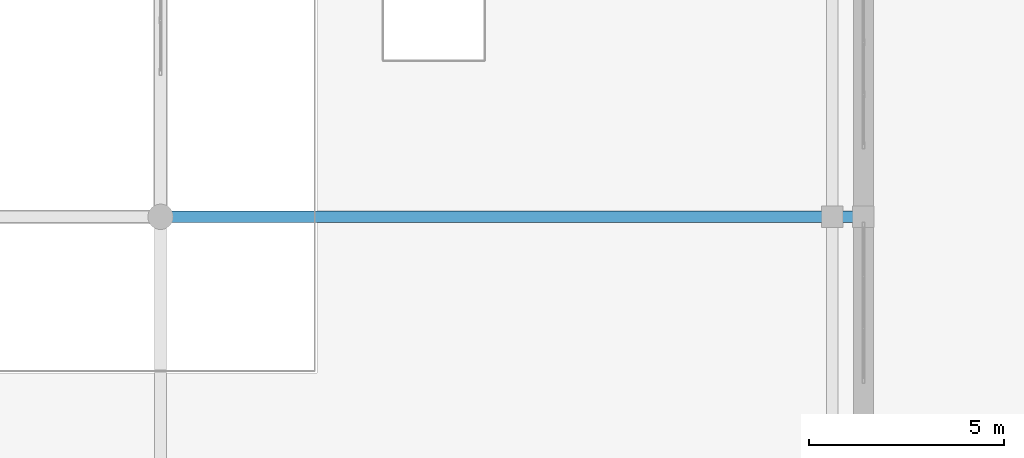
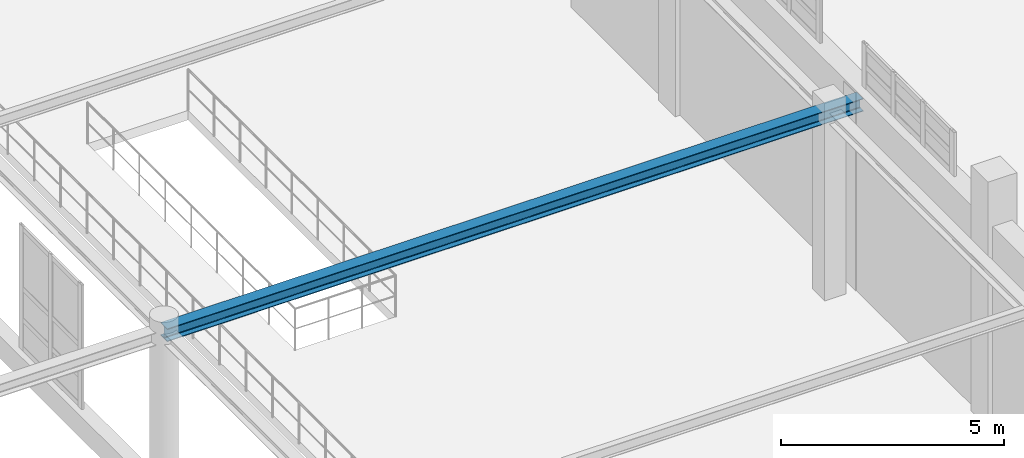
# One storey, part 103 of 197: 1 beam.
"""IFC4 building model written with IfcOpenShell, lengths in metres."""

from ifc_helpers import new_model, si_unit, derived_unit, direction, frame, origin, origin_2d, place, context, subcontext, project, spatial, i_section, extrude, material, material_profile, profile_set, type_object, element, save


model = new_model("IFC4")

# Units and contexts
model_context = context("Model", 3, precision=1e-05, world=origin(), true_north=direction((0.0, 1.0)))
body_context = subcontext(model_context, "Body", "Model", "MODEL_VIEW")
ifc_project = project(units=[si_unit("LENGTHUNIT", "METRE"), si_unit("AREAUNIT", "SQUARE_METRE"), si_unit("VOLUMEUNIT", "CUBIC_METRE"), si_unit("PLANEANGLEUNIT", "RADIAN"), si_unit("MASSUNIT", "GRAM", prefix="KILO"), derived_unit("THERMALTRANSMITTANCEUNIT", [(si_unit("POWERUNIT", "WATT"), 1), (si_unit("LENGTHUNIT", "METRE"), -2), (si_unit("THERMODYNAMICTEMPERATUREUNIT", "KELVIN"), -1)])], contexts=[model_context])

# Site, building, storey
site_placement = place(None, origin())
site = spatial("IfcSite", under=ifc_project, at=site_placement, CompositionType="ELEMENT")
building_placement = place(site_placement, origin())
building = spatial("IfcBuilding", under=site, at=building_placement, Name="Almenara Railside Exhibition Hall", CompositionType="ELEMENT")
storey_placement = place(building_placement, frame((0.0, 0.0, 5.39990234375)))
storey = spatial("IfcBuildingStorey", under=building, at=storey_placement, Name="L01", CompositionType="ELEMENT", Elevation=5.39990234375)

# Beam
ifc_material = material(Name="Structural steel S355JR", Category="steel")
ifc_material_profile = material_profile(ifc_material, i_section(OverallWidth=0.300048828125, OverallDepth=0.35009765625, WebThickness=0.010009765625, FlangeThickness=0.017578125, FilletRadius=0.027099609375, at=origin_2d()), Name="HEA 360")
ifc_profile_set = profile_set([ifc_material_profile], Name="Structural steel S355JR")
beam_type = type_object("IfcBeamType", Name="Steel Concourse Frame Beam HEA 360 S355JR", PredefinedType="BEAM", material=ifc_profile_set)
beam_placement = place(storey_placement, frame((120.0, 54.0, 4.9111328125), z_axis=(1.0, 0.0, 0.0), x_axis=(0.0, 1.0, 0.0)))
element("IfcBeam", 1, at=beam_placement, inside=storey, type_object=beam_type, Name="Beam 0792", PredefinedType="BEAM", context=body_context, shape_type="SweptSolid", body=[
    extrude(i_section(OverallWidth=0.300048828125, OverallDepth=0.35009765625, WebThickness=0.010009765625, FlangeThickness=0.017578125, FilletRadius=0.027099609375, at=origin_2d()), origin(), (0.0, 0.0, 1.0), 18.0),
])

save(model, "model.ifc")
